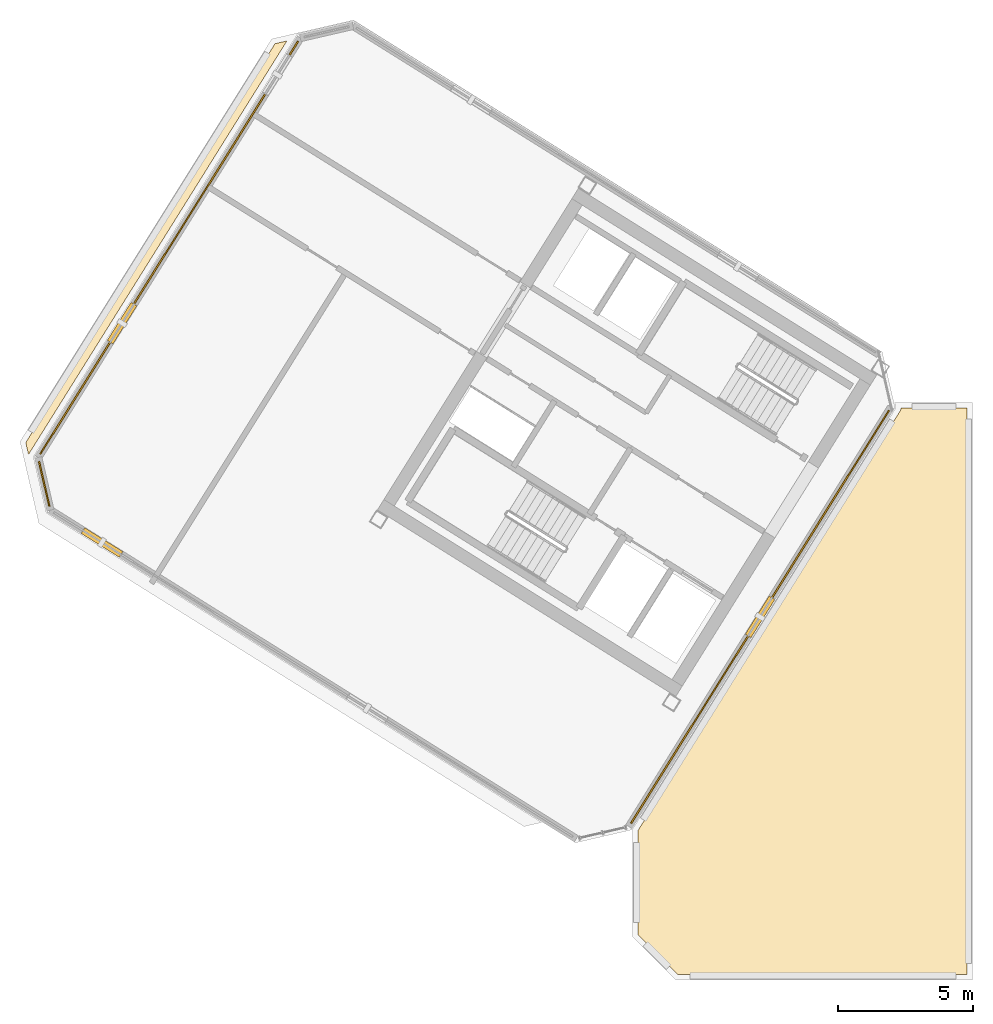
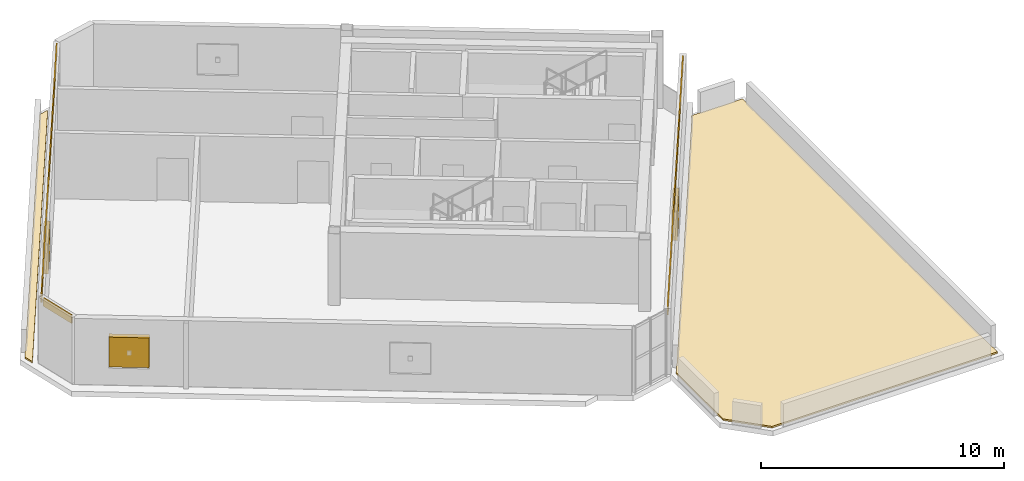
# One storey, part 7 of 8: 5 coverings, 3 shading devices.
"""IFC4 building model written with IfcOpenShell, lengths in metres."""

import ifcopenshell
import ifcopenshell.guid

model = None  # the IFC model being written
_history = None  # IfcOwnerHistory: only IFC2X3 demands one
_inside = {}  # id of a spatial element -> (the spatial element, [elements in it])
_under = {}  # id of a project, library or spatial element -> (it, [spatial elements below it])
_declared = {}  # id of a project -> (the project, [libraries it declares])
_typed = {}  # id of a type object -> (the type object, [elements of that type])
_made_of = {}  # id of a material, layer set ... -> (it, [elements and type objects made of it])


def new_model(schema):
    """Start an empty IFC model of exactly this schema.

    Asked for "IFC4X3", IfcOpenShell would pick the latest addendum, in which some entities
    have other attributes; the version numbers below select the first issue.
    IFC2X3 requires an IfcOwnerHistory on every rooted entity: one is made here for all.
    """
    global model, _history
    if schema == "IFC4X3":
        model = ifcopenshell.file(schema_version=(4, 3, 0, 0))
    else:
        model = ifcopenshell.file(schema=schema)
    _inside.clear()
    _under.clear()
    _declared.clear()
    _typed.clear()
    _made_of.clear()
    _history = None
    if model.schema == "IFC2X3":
        org = make("IfcOrganization", Name="unknown")
        user = make(
            "IfcPersonAndOrganization",
            ThePerson=make("IfcPerson", FamilyName="unknown"),
            TheOrganization=org,
        )
        app = make(
            "IfcApplication",
            ApplicationDeveloper=org,
            Version="unknown",
            ApplicationFullName="unknown",
            ApplicationIdentifier="unknown",
        )
        _history = make(
            "IfcOwnerHistory",
            OwningUser=user,
            OwningApplication=app,
            ChangeAction="ADDED",
            CreationDate=0,
        )
    return model


def make(cls, **values):
    """One entity of the class cls with the attributes given. An attribute that is None is left unset."""
    return model.create_entity(
        cls, **{name: value for name, value in values.items() if value is not None}
    )


def rooted(cls, **values):
    """An entity with a GlobalId (a new one), such as an element, a storey or a relation."""
    return make(cls, GlobalId=ifcopenshell.guid.new(), OwnerHistory=_history, **values)


def si_unit(unit_type, name, prefix=None):
    """IfcSIUnit, for example si_unit("LENGTHUNIT", "METRE", prefix="MILLI")."""
    return make("IfcSIUnit", UnitType=unit_type, Prefix=prefix, Name=name)


def assignment(units):
    """IfcUnitAssignment: the units of a project."""
    return None if units is None else make("IfcUnitAssignment", Units=units)


def point(xyz):
    """IfcCartesianPoint."""
    return None if xyz is None else make("IfcCartesianPoint", Coordinates=xyz)


def direction(xyz):
    """IfcDirection."""
    return None if xyz is None else make("IfcDirection", DirectionRatios=xyz)


def frame(location, z_axis=None, x_axis=None):
    """IfcAxis2Placement3D, a coordinate frame: its origin and axes. An axis left out is left unset."""
    return make(
        "IfcAxis2Placement3D",
        Location=point(location),
        Axis=direction(z_axis),
        RefDirection=direction(x_axis),
    )


def frame_2d(location, x_axis=None):
    """IfcAxis2Placement2D, a coordinate frame in the plane: its origin and x axis."""
    return make(
        "IfcAxis2Placement2D", Location=point(location), RefDirection=direction(x_axis)
    )


def origin():
    """The frame at (0, 0, 0) with its axes left unset."""
    return frame((0.0, 0.0, 0.0))


def origin_2d():
    """The frame at (0, 0) in the plane with its x axis left unset."""
    return frame_2d((0.0, 0.0))


def place(relative_to, where):
    """IfcLocalPlacement: puts the frame where relative to a parent placement (None: the world)."""
    return make(
        "IfcLocalPlacement", PlacementRelTo=relative_to, RelativePlacement=where
    )


def context(
    kind, dimensions, precision=None, world=None, true_north=None, identifier=None
):
    """IfcGeometricRepresentationContext, for example the 3D "Model" context."""
    return make(
        "IfcGeometricRepresentationContext",
        ContextIdentifier=identifier,
        ContextType=kind,
        CoordinateSpaceDimension=dimensions,
        Precision=precision,
        WorldCoordinateSystem=world,
        TrueNorth=true_north,
    )


def subcontext(parent, identifier, kind, view, scale=None):
    """IfcGeometricRepresentationSubContext, for example "Body" below "Model"."""
    return make(
        "IfcGeometricRepresentationSubContext",
        ContextIdentifier=identifier,
        ContextType=kind,
        ParentContext=parent,
        TargetScale=scale,
        TargetView=view,
    )


def project(units=None, contexts=None):
    """IfcProject with its units and contexts."""
    return rooted(
        "IfcProject",
        Name="project",
        RepresentationContexts=contexts,
        UnitsInContext=assignment(units),
    )


def spatial(cls, under=None, at=None, **own):
    """A site, building, storey or space (cls), placed at a placement, below another one or the project."""
    s = rooted(cls, ObjectPlacement=at, **own)
    if under is not None:
        _under.setdefault(under.id(), (under, []))[1].append(s)
    return s


def polyline(points):
    """IfcPolyline through the points."""
    return make("IfcPolyline", Points=[point(p) for p in points])


def profile(cls, at=None, kind="AREA", **sizes):
    """A parametric profile (cls). Its sizes go by their IFC names, for example OverallWidth=200.0."""
    return make(cls, ProfileType=kind, Position=at, **sizes)


def rectangle(**sizes):
    """IfcRectangleProfileDef."""
    return profile("IfcRectangleProfileDef", **sizes)


def outline(outer, holes=None, kind="AREA"):
    """IfcArbitraryClosedProfileDef: a profile drawn as a closed curve; with holes, ...WithVoids."""
    if holes is None:
        return make("IfcArbitraryClosedProfileDef", ProfileType=kind, OuterCurve=outer)
    return make(
        "IfcArbitraryProfileDefWithVoids",
        ProfileType=kind,
        OuterCurve=outer,
        InnerCurves=holes,
    )


def extrude(swept, where, along, depth):
    """IfcExtrudedAreaSolid: the profile swept, set in the frame where, extruded along a direction by depth."""
    return make(
        "IfcExtrudedAreaSolid",
        SweptArea=swept,
        Position=where,
        ExtrudedDirection=direction(along),
        Depth=depth,
    )


def shape(context_of_items, identifier, shape_type, items):
    """IfcShapeRepresentation: the items that make up one representation, for example the "Body"."""
    return make(
        "IfcShapeRepresentation",
        ContextOfItems=context_of_items,
        RepresentationIdentifier=identifier,
        RepresentationType=shape_type,
        Items=items,
    )


def source(mapping_origin, context_of_items, identifier, shape_type, items):
    """IfcRepresentationMap: a shape defined once, which mapped items show again and again."""
    return make(
        "IfcRepresentationMap",
        MappingOrigin=mapping_origin,
        MappedRepresentation=shape(context_of_items, identifier, shape_type, items),
    )


def transform(
    local_origin,
    x_axis=None,
    y_axis=None,
    z_axis=None,
    scale=None,
    scale2=None,
    scale3=None,
    uniform=True,
):
    """IfcCartesianTransformationOperator3D, or its non-uniform kind. x_axis, y_axis, z_axis: its Axis1, 2, 3."""
    if uniform:
        return make(
            "IfcCartesianTransformationOperator3D",
            Axis1=direction(x_axis),
            Axis2=direction(y_axis),
            LocalOrigin=point(local_origin),
            Scale=scale,
            Axis3=direction(z_axis),
        )
    return make(
        "IfcCartesianTransformationOperator3DnonUniform",
        Axis1=direction(x_axis),
        Axis2=direction(y_axis),
        LocalOrigin=point(local_origin),
        Scale=scale,
        Axis3=direction(z_axis),
        Scale2=scale2,
        Scale3=scale3,
    )


def mapped(mapping_source, mapping_target):
    """IfcMappedItem: shows the shape of a source again, moved by a transform."""
    return make(
        "IfcMappedItem", MappingSource=mapping_source, MappingTarget=mapping_target
    )


def material(Name=None, Category=None):
    """IfcMaterial."""
    return make("IfcMaterial", Name=Name, Category=Category)


def layer(
    of_material, thickness, ventilated=None, Name=None, Category=None, Priority=None
):
    """IfcMaterialLayer: one layer of a wall or slab, of a material (None: an air gap)."""
    return make(
        "IfcMaterialLayer",
        Material=of_material,
        LayerThickness=thickness,
        IsVentilated=ventilated,
        Name=Name,
        Category=Category,
        Priority=Priority,
    )


def layer_set(layers, Name=None):
    """IfcMaterialLayerSet."""
    return make("IfcMaterialLayerSet", MaterialLayers=layers, LayerSetName=Name)


def made_of(thing, what):
    """Note that an element or type object is made of a material, layer set ...; save() writes the relation."""
    if what is not None:
        _made_of.setdefault(what.id(), (what, []))[1].append(thing)
    return thing


def type_object(cls, material=None, **own):
    """A type object (cls), such as IfcWallType, which elements share."""
    return made_of(rooted(cls, **own), material)


def element(
    cls,
    number,
    at=None,
    inside=None,
    cuts=None,
    type_object=None,
    material=None,
    context=None,
    identifier="Body",
    shape_type=None,
    held_by="IfcProductDefinitionShape",
    body=None,
    shapes=None,
    **own,
):
    """One element of the class cls, such as IfcWall. Its Tag is "e" and its number.

    at: its placement. inside: the storey or other place that contains it. cuts: it is an
    opening in that element (IfcRelVoidsElement). A single representation is given by context,
    identifier, shape_type and body (its items); several are given by shapes. held_by: the class
    of the entity that holds the representations. save() writes the other relations.
    """
    e = rooted(cls, Tag="e%d" % number, ObjectPlacement=at, **own)
    if body is not None:
        shapes = [shape(context, identifier, shape_type, body)]
    if shapes is not None:
        e.Representation = make(held_by, Representations=shapes)
    if inside is not None:
        _inside.setdefault(inside.id(), (inside, []))[1].append(e)
    if cuts is not None:
        rooted(
            "IfcRelVoidsElement", RelatingBuildingElement=cuts, RelatedOpeningElement=e
        )
    if type_object is not None:
        _typed.setdefault(type_object.id(), (type_object, []))[1].append(e)
    return made_of(e, material)


def aggregate(whole, parts):
    """IfcRelAggregates: a whole, such as a stair, and the parts it consists of."""
    return rooted("IfcRelAggregates", RelatingObject=whole, RelatedObjects=parts)


def save(model, path):
    """Write the relations noted so far, then the file.

    IfcRelAggregates (storeys below a building ...), IfcRelContainedInSpatialStructure (elements
    in a storey), IfcRelDefinesByType, IfcRelAssociatesMaterial and IfcRelDeclares: one each for
    every whole, place, type object, material and project.
    """
    for whole, parts in _under.values():
        aggregate(whole, parts)
    for where, things in _inside.values():
        rooted(
            "IfcRelContainedInSpatialStructure",
            RelatedElements=things,
            RelatingStructure=where,
        )
    for kind, things in _typed.values():
        rooted("IfcRelDefinesByType", RelatedObjects=things, RelatingType=kind)
    for what, things in _made_of.values():
        rooted("IfcRelAssociatesMaterial", RelatedObjects=things, RelatingMaterial=what)
    for by, libraries in _declared.values():
        rooted("IfcRelDeclares", RelatingContext=by, RelatedDefinitions=libraries)
    model.write(path)


model = new_model("IFC4")

# Units and contexts
model_context = context("Model", 3, precision=1e-05, world=origin(), true_north=direction((0.0, 1.0)))
body_context = subcontext(model_context, "Body", "Model", "MODEL_VIEW")
ifc_project = project(units=[si_unit("LENGTHUNIT", "METRE"), si_unit("AREAUNIT", "SQUARE_METRE"), si_unit("VOLUMEUNIT", "CUBIC_METRE"), si_unit("PLANEANGLEUNIT", "RADIAN"), si_unit("MASSUNIT", "GRAM", prefix="KILO")], contexts=[model_context])

# Site, building, storey
site_placement = place(None, origin())
site = spatial("IfcSite", under=ifc_project, at=site_placement, CompositionType="ELEMENT")
building_placement = place(site_placement, origin())
building = spatial("IfcBuilding", under=site, at=building_placement, Name="Tlacorven Tower", CompositionType="ELEMENT")
storey_placement = place(building_placement, frame((0.0, 0.0, 298.800048828125)))
storey = spatial("IfcBuildingStorey", under=building, at=storey_placement, Name="L76", CompositionType="ELEMENT", Elevation=298.800048828125)

# Coverings
ifc_material_1 = material(Name="EPDM waterproofing membrane and rigid insulation")
ifc_layer_1 = layer(ifc_material_1, 0.080078125)
ifc_layer_set_1 = layer_set([ifc_layer_1], Name="EPDM waterproofing membrane and rigid insulation")
covering_type_1 = type_object("IfcCoveringType", Name="CV-ROF-MEMB", PredefinedType="ROOFING", material=ifc_layer_set_1)
covering_1_placement = place(storey_placement, origin())
element("IfcCovering", 1, at=covering_1_placement, inside=storey, type_object=covering_type_1, Name="L76 Stepped Crown Waterproofing Membrane 1.1", PredefinedType="ROOFING", context=body_context, shape_type="SweptSolid", body=[
    extrude(outline(polyline([(41.551025390625, 23.0), (44.0, 23.0), (44.0, 2.0), (33.282958984375, 2.0), (31.800048828125, 3.48291015625), (31.800048828125, 7.33740234375), (41.517578125, 22.88916015625), (41.522705078125, 22.8974609375), (41.523681640625, 22.899169921875), (41.532470703125, 22.916748046875), (41.533203125, 22.918701171875), (41.5400390625, 22.93701171875), (41.540771484375, 22.938720703125), (41.5458984375, 22.957763671875), (41.546142578125, 22.959716796875), (41.549560546875, 22.97900390625), (41.5498046875, 22.98095703125), (41.551025390625, 23.0)])), origin(), (0.0, 0.0, 1.0), 0.079833984375),
])
covering_2_placement = place(storey_placement, origin())
element("IfcCovering", 2, at=covering_2_placement, inside=storey, type_object=covering_type_1, Name="L76 Stepped Crown Waterproofing Membrane 2.1", PredefinedType="ROOFING", context=body_context, shape_type="SweptSolid", body=[
    extrude(outline(polyline([(9.215087890625, 21.269287109375), (9.112060546875, 21.716064453125), (18.350830078125, 36.501220703125), (18.791748046875, 36.60302734375), (9.2333984375, 21.306640625), (9.228515625, 21.298095703125), (9.2275390625, 21.29638671875), (9.21875, 21.27880859375), (9.218017578125, 21.277099609375), (9.215087890625, 21.269287109375)])), origin(), (0.0, 0.0, 1.0), 0.079833984375),
])

# Shading devices
ifc_material_2 = material(Name="Anodised bronze aluminium acoustic louvre", Category="aluminium")
shading_device_type = type_object("IfcShadingDeviceType", Name="SH-LVR-WND", PredefinedType="JALOUSIE", material=ifc_material_2)
shared_shape_1 = source(origin(), body_context, "Body", "SweptSolid", [
    extrude(rectangle(XDim=1.659912109375, YDim=0.25, at=origin_2d()), origin(), (0.0, 0.0, 1.0), 1.5),
])
for number, where, z_axis, x_axis, name in (
    (3, (36.323974609375, 15.256591796875, 0.89990234375), (0.0, 0.0, 1.0), (-0.5299191837, -0.848048146479, 0.0), "L76 Storm-Resistant Acoustic Louvre Bank 1.1"),
    (4, (11.93603515625, 18.01416015625, 0.89990234375), (0.0, 0.0, 1.0), (-0.848048181088, 0.529919128313, 0.0), "L76 Storm-Resistant Acoustic Louvre Bank 2.2"),
    (5, (12.6806640625, 26.14404296875, 0.89990234375), (0.0, 0.0, 1.0), (0.5299191837, 0.848048146479, 0.0), "L76 Storm-Resistant Acoustic Louvre Bank 4.1"),
):
    element("IfcShadingDevice", number, at=place(storey_placement, frame(where, z_axis=z_axis, x_axis=x_axis)), inside=storey, type_object=shading_device_type, Name=name, PredefinedType="JALOUSIE", context=body_context, shape_type="MappedRepresentation", body=[
        mapped(shared_shape_1, transform((0.0, 0.0, 0.0), scale=1.0)),
    ])

# Coverings
ifc_material_3 = material(Name="Precast concrete C45/55", Category="concrete")
ifc_layer_2 = layer(ifc_material_3, 0.06005859375)
ifc_layer_set_2 = layer_set([ifc_layer_2], Name="Precast concrete C45/55")
covering_type_2 = type_object("IfcCoveringType", Name="CV-CLD-TERC", PredefinedType="CLADDING", material=ifc_layer_set_2)
shared_shape_2 = source(origin(), body_context, "Body", "SweptSolid", [
    extrude(rectangle(XDim=18.033935546875, YDim=0.06005859375, at=origin_2d()), origin(), (0.0, 0.0, 1.0), 0.419921875),
])
for number, where, z_axis, x_axis, name in (
    (6, (36.323974609375, 15.256591796875, 2.89990234375), (0.0, 0.0, 1.0), (-0.5299191837, -0.848048146479, 0.0), "L76 Masonry-Frame Spandrel Cladding 1"),
    (7, (14.42724609375, 28.939208984375, 2.89990234375), (0.0, 0.0, 1.0), (0.5299191837, 0.848048146479, 0.0), "L76 Masonry-Frame Spandrel Cladding 4"),
):
    element("IfcCovering", number, at=place(storey_placement, frame(where, z_axis=z_axis, x_axis=x_axis)), inside=storey, type_object=covering_type_2, Name=name, PredefinedType="CLADDING", context=body_context, shape_type="MappedRepresentation", body=[
        mapped(shared_shape_2, transform((0.0, 0.0, 0.0), scale=1.0)),
    ])
shared_shape_3 = source(origin(), body_context, "Body", "SweptSolid", [
    extrude(rectangle(XDim=1.705322265625, YDim=0.06005859375, at=origin_2d()), origin(), (0.0, 0.0, 1.0), 0.419921875),
])
covering_3_placement = place(storey_placement, frame((9.795166015625, 20.18798828125, 2.89990234375), z_axis=(0.0, 0.0, 1.0), x_axis=(-0.22494970827, 0.97437037555, 0.0)))
element("IfcCovering", 8, at=covering_3_placement, inside=storey, type_object=covering_type_2, Name="L76 Masonry-Frame Spandrel Cladding 3", PredefinedType="CLADDING", context=body_context, shape_type="MappedRepresentation", body=[
    mapped(shared_shape_3, transform((0.0, 0.0, 0.0), scale=1.0)),
])

save(model, "model.ifc")
